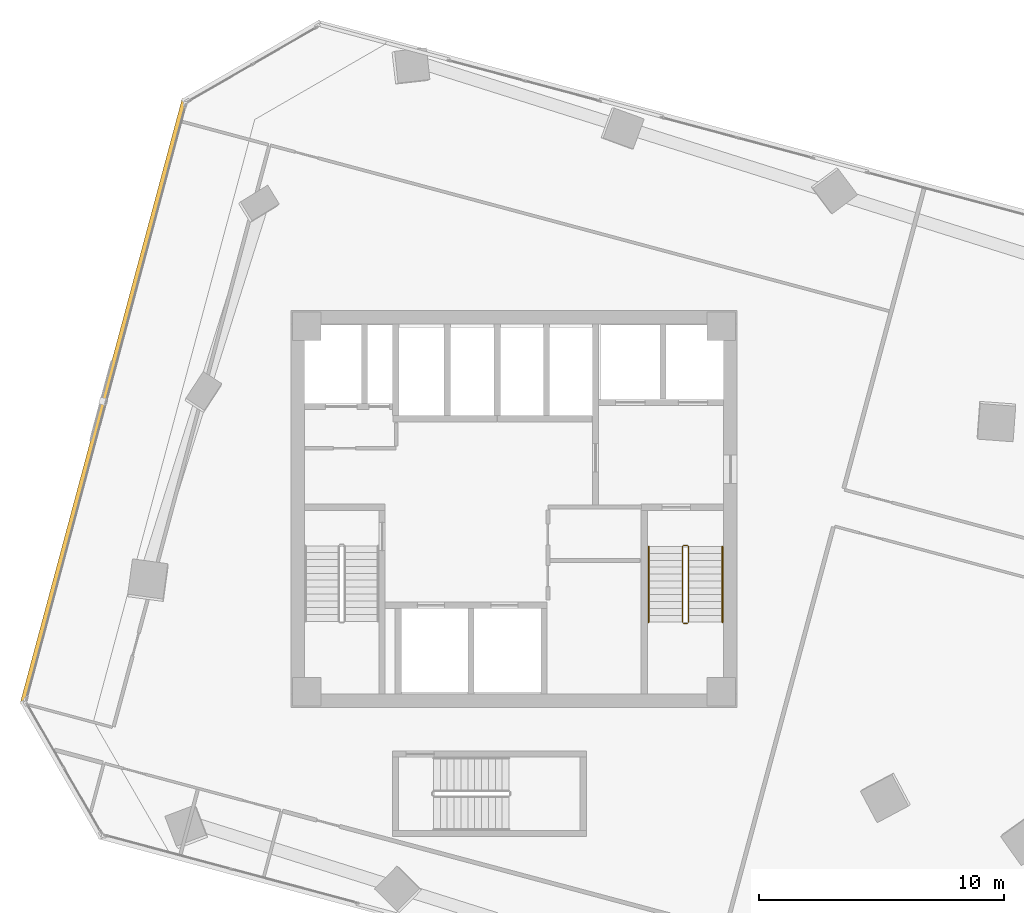
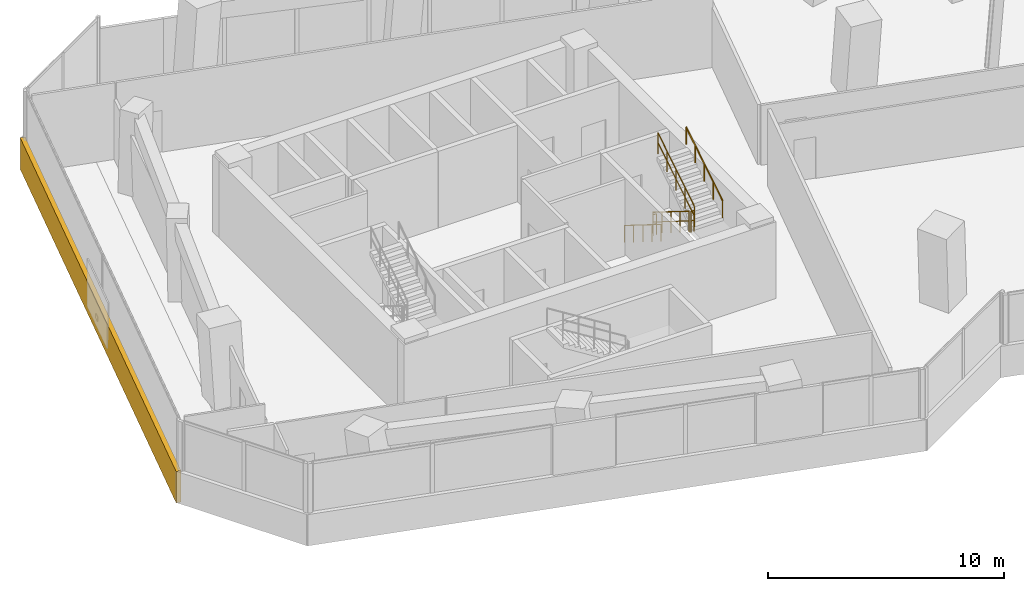
# One storey, part 24 of 27: 6 railings, 1 covering.
"""IFC4 building model written with IfcOpenShell, lengths in metres."""

import ifcopenshell
import ifcopenshell.guid

model = None  # the IFC model being written
_history = None  # IfcOwnerHistory: only IFC2X3 demands one
_inside = {}  # id of a spatial element -> (the spatial element, [elements in it])
_under = {}  # id of a project, library or spatial element -> (it, [spatial elements below it])
_declared = {}  # id of a project -> (the project, [libraries it declares])
_typed = {}  # id of a type object -> (the type object, [elements of that type])
_made_of = {}  # id of a material, layer set ... -> (it, [elements and type objects made of it])


def new_model(schema):
    """Start an empty IFC model of exactly this schema.

    Asked for "IFC4X3", IfcOpenShell would pick the latest addendum, in which some entities
    have other attributes; the version numbers below select the first issue.
    IFC2X3 requires an IfcOwnerHistory on every rooted entity: one is made here for all.
    """
    global model, _history
    if schema == "IFC4X3":
        model = ifcopenshell.file(schema_version=(4, 3, 0, 0))
    else:
        model = ifcopenshell.file(schema=schema)
    _inside.clear()
    _under.clear()
    _declared.clear()
    _typed.clear()
    _made_of.clear()
    _history = None
    if model.schema == "IFC2X3":
        org = make("IfcOrganization", Name="unknown")
        user = make(
            "IfcPersonAndOrganization",
            ThePerson=make("IfcPerson", FamilyName="unknown"),
            TheOrganization=org,
        )
        app = make(
            "IfcApplication",
            ApplicationDeveloper=org,
            Version="unknown",
            ApplicationFullName="unknown",
            ApplicationIdentifier="unknown",
        )
        _history = make(
            "IfcOwnerHistory",
            OwningUser=user,
            OwningApplication=app,
            ChangeAction="ADDED",
            CreationDate=0,
        )
    return model


def make(cls, **values):
    """One entity of the class cls with the attributes given. An attribute that is None is left unset."""
    return model.create_entity(
        cls, **{name: value for name, value in values.items() if value is not None}
    )


def rooted(cls, **values):
    """An entity with a GlobalId (a new one), such as an element, a storey or a relation."""
    return make(cls, GlobalId=ifcopenshell.guid.new(), OwnerHistory=_history, **values)


def si_unit(unit_type, name, prefix=None):
    """IfcSIUnit, for example si_unit("LENGTHUNIT", "METRE", prefix="MILLI")."""
    return make("IfcSIUnit", UnitType=unit_type, Prefix=prefix, Name=name)


def assignment(units):
    """IfcUnitAssignment: the units of a project."""
    return None if units is None else make("IfcUnitAssignment", Units=units)


def point(xyz):
    """IfcCartesianPoint."""
    return None if xyz is None else make("IfcCartesianPoint", Coordinates=xyz)


def direction(xyz):
    """IfcDirection."""
    return None if xyz is None else make("IfcDirection", DirectionRatios=xyz)


def frame(location, z_axis=None, x_axis=None):
    """IfcAxis2Placement3D, a coordinate frame: its origin and axes. An axis left out is left unset."""
    return make(
        "IfcAxis2Placement3D",
        Location=point(location),
        Axis=direction(z_axis),
        RefDirection=direction(x_axis),
    )


def frame_2d(location, x_axis=None):
    """IfcAxis2Placement2D, a coordinate frame in the plane: its origin and x axis."""
    return make(
        "IfcAxis2Placement2D", Location=point(location), RefDirection=direction(x_axis)
    )


def origin():
    """The frame at (0, 0, 0) with its axes left unset."""
    return frame((0.0, 0.0, 0.0))


def origin_2d():
    """The frame at (0, 0) in the plane with its x axis left unset."""
    return frame_2d((0.0, 0.0))


def place(relative_to, where):
    """IfcLocalPlacement: puts the frame where relative to a parent placement (None: the world)."""
    return make(
        "IfcLocalPlacement", PlacementRelTo=relative_to, RelativePlacement=where
    )


def context(
    kind, dimensions, precision=None, world=None, true_north=None, identifier=None
):
    """IfcGeometricRepresentationContext, for example the 3D "Model" context."""
    return make(
        "IfcGeometricRepresentationContext",
        ContextIdentifier=identifier,
        ContextType=kind,
        CoordinateSpaceDimension=dimensions,
        Precision=precision,
        WorldCoordinateSystem=world,
        TrueNorth=true_north,
    )


def subcontext(parent, identifier, kind, view, scale=None):
    """IfcGeometricRepresentationSubContext, for example "Body" below "Model"."""
    return make(
        "IfcGeometricRepresentationSubContext",
        ContextIdentifier=identifier,
        ContextType=kind,
        ParentContext=parent,
        TargetScale=scale,
        TargetView=view,
    )


def project(units=None, contexts=None):
    """IfcProject with its units and contexts."""
    return rooted(
        "IfcProject",
        Name="project",
        RepresentationContexts=contexts,
        UnitsInContext=assignment(units),
    )


def spatial(cls, under=None, at=None, **own):
    """A site, building, storey or space (cls), placed at a placement, below another one or the project."""
    s = rooted(cls, ObjectPlacement=at, **own)
    if under is not None:
        _under.setdefault(under.id(), (under, []))[1].append(s)
    return s


def profile(cls, at=None, kind="AREA", **sizes):
    """A parametric profile (cls). Its sizes go by their IFC names, for example OverallWidth=200.0."""
    return make(cls, ProfileType=kind, Position=at, **sizes)


def rectangle(**sizes):
    """IfcRectangleProfileDef."""
    return profile("IfcRectangleProfileDef", **sizes)


def circle(**sizes):
    """IfcCircleProfileDef."""
    return profile("IfcCircleProfileDef", **sizes)


def extrude(swept, where, along, depth):
    """IfcExtrudedAreaSolid: the profile swept, set in the frame where, extruded along a direction by depth."""
    return make(
        "IfcExtrudedAreaSolid",
        SweptArea=swept,
        Position=where,
        ExtrudedDirection=direction(along),
        Depth=depth,
    )


def shape(context_of_items, identifier, shape_type, items):
    """IfcShapeRepresentation: the items that make up one representation, for example the "Body"."""
    return make(
        "IfcShapeRepresentation",
        ContextOfItems=context_of_items,
        RepresentationIdentifier=identifier,
        RepresentationType=shape_type,
        Items=items,
    )


def source(mapping_origin, context_of_items, identifier, shape_type, items):
    """IfcRepresentationMap: a shape defined once, which mapped items show again and again."""
    return make(
        "IfcRepresentationMap",
        MappingOrigin=mapping_origin,
        MappedRepresentation=shape(context_of_items, identifier, shape_type, items),
    )


def transform(
    local_origin,
    x_axis=None,
    y_axis=None,
    z_axis=None,
    scale=None,
    scale2=None,
    scale3=None,
    uniform=True,
):
    """IfcCartesianTransformationOperator3D, or its non-uniform kind. x_axis, y_axis, z_axis: its Axis1, 2, 3."""
    if uniform:
        return make(
            "IfcCartesianTransformationOperator3D",
            Axis1=direction(x_axis),
            Axis2=direction(y_axis),
            LocalOrigin=point(local_origin),
            Scale=scale,
            Axis3=direction(z_axis),
        )
    return make(
        "IfcCartesianTransformationOperator3DnonUniform",
        Axis1=direction(x_axis),
        Axis2=direction(y_axis),
        LocalOrigin=point(local_origin),
        Scale=scale,
        Axis3=direction(z_axis),
        Scale2=scale2,
        Scale3=scale3,
    )


def mapped(mapping_source, mapping_target):
    """IfcMappedItem: shows the shape of a source again, moved by a transform."""
    return make(
        "IfcMappedItem", MappingSource=mapping_source, MappingTarget=mapping_target
    )


def material(Name=None, Category=None):
    """IfcMaterial."""
    return make("IfcMaterial", Name=Name, Category=Category)


def layer(
    of_material, thickness, ventilated=None, Name=None, Category=None, Priority=None
):
    """IfcMaterialLayer: one layer of a wall or slab, of a material (None: an air gap)."""
    return make(
        "IfcMaterialLayer",
        Material=of_material,
        LayerThickness=thickness,
        IsVentilated=ventilated,
        Name=Name,
        Category=Category,
        Priority=Priority,
    )


def layer_set(layers, Name=None):
    """IfcMaterialLayerSet."""
    return make("IfcMaterialLayerSet", MaterialLayers=layers, LayerSetName=Name)


def made_of(thing, what):
    """Note that an element or type object is made of a material, layer set ...; save() writes the relation."""
    if what is not None:
        _made_of.setdefault(what.id(), (what, []))[1].append(thing)
    return thing


def type_object(cls, material=None, **own):
    """A type object (cls), such as IfcWallType, which elements share."""
    return made_of(rooted(cls, **own), material)


def element(
    cls,
    number,
    at=None,
    inside=None,
    cuts=None,
    type_object=None,
    material=None,
    context=None,
    identifier="Body",
    shape_type=None,
    held_by="IfcProductDefinitionShape",
    body=None,
    shapes=None,
    **own,
):
    """One element of the class cls, such as IfcWall. Its Tag is "e" and its number.

    at: its placement. inside: the storey or other place that contains it. cuts: it is an
    opening in that element (IfcRelVoidsElement). A single representation is given by context,
    identifier, shape_type and body (its items); several are given by shapes. held_by: the class
    of the entity that holds the representations. save() writes the other relations.
    """
    e = rooted(cls, Tag="e%d" % number, ObjectPlacement=at, **own)
    if body is not None:
        shapes = [shape(context, identifier, shape_type, body)]
    if shapes is not None:
        e.Representation = make(held_by, Representations=shapes)
    if inside is not None:
        _inside.setdefault(inside.id(), (inside, []))[1].append(e)
    if cuts is not None:
        rooted(
            "IfcRelVoidsElement", RelatingBuildingElement=cuts, RelatedOpeningElement=e
        )
    if type_object is not None:
        _typed.setdefault(type_object.id(), (type_object, []))[1].append(e)
    return made_of(e, material)


def aggregate(whole, parts):
    """IfcRelAggregates: a whole, such as a stair, and the parts it consists of."""
    return rooted("IfcRelAggregates", RelatingObject=whole, RelatedObjects=parts)


def save(model, path):
    """Write the relations noted so far, then the file.

    IfcRelAggregates (storeys below a building ...), IfcRelContainedInSpatialStructure (elements
    in a storey), IfcRelDefinesByType, IfcRelAssociatesMaterial and IfcRelDeclares: one each for
    every whole, place, type object, material and project.
    """
    for whole, parts in _under.values():
        aggregate(whole, parts)
    for where, things in _inside.values():
        rooted(
            "IfcRelContainedInSpatialStructure",
            RelatedElements=things,
            RelatingStructure=where,
        )
    for kind, things in _typed.values():
        rooted("IfcRelDefinesByType", RelatedObjects=things, RelatingType=kind)
    for what, things in _made_of.values():
        rooted("IfcRelAssociatesMaterial", RelatedObjects=things, RelatingMaterial=what)
    for by, libraries in _declared.values():
        rooted("IfcRelDeclares", RelatingContext=by, RelatedDefinitions=libraries)
    model.write(path)


model = new_model("IFC4")

# Units and contexts
model_context = context("Model", 3, precision=1e-05, world=origin(), true_north=direction((0.0, 1.0)))
body_context = subcontext(model_context, "Body", "Model", "MODEL_VIEW")
ifc_project = project(units=[si_unit("LENGTHUNIT", "METRE"), si_unit("AREAUNIT", "SQUARE_METRE"), si_unit("VOLUMEUNIT", "CUBIC_METRE"), si_unit("PLANEANGLEUNIT", "RADIAN"), si_unit("MASSUNIT", "GRAM", prefix="KILO")], contexts=[model_context])

# Site, building, storey
site_placement = place(None, origin())
site = spatial("IfcSite", under=ifc_project, at=site_placement, CompositionType="ELEMENT")
building_placement = place(site_placement, origin())
building = spatial("IfcBuilding", under=site, at=building_placement, Name="Torre Montelarca", CompositionType="ELEMENT")
storey_placement = place(building_placement, frame((0.0, 0.0, 108.39990234375)))
storey = spatial("IfcBuildingStorey", under=building, at=storey_placement, Name="L24", CompositionType="ELEMENT", Elevation=108.39990234375)

# Railings
ifc_material_1 = material(Name="Powder-coated steel ASTM A500 Grade C", Category="steel")
railing_type_1 = type_object("IfcRailingType", Name="RL-GUARD-1100", PredefinedType="BALUSTRADE", material=ifc_material_1)
railing_1_placement = place(storey_placement, frame((24.8701171875, 30.469970703125, 0.175048828125)))
element("IfcRailing", 1, at=railing_1_placement, inside=storey, type_object=railing_type_1, Name="L24 ST2 stair guard 1", PredefinedType="BALUSTRADE", context=body_context, shape_type="SweptSolid", body=[
    extrude(circle(Radius=0.02392578125, at=origin_2d()), frame((0.0, 0.0, 1.076171875), z_axis=(0.0, -0.847998304005, 0.529998940003), x_axis=(1.0, 0.0, 0.0)), (0.0, 0.0, 1.0), 3.632080078125),
    extrude(circle(Radius=0.02099609375, at=origin_2d()), frame((0.0, 0.0, 0.572021484375), z_axis=(0.0, -0.847998304005, 0.529998940003), x_axis=(1.0, 0.0, 0.0)), (0.0, 0.0, 1.0), 3.632080078125),
    extrude(circle(Radius=0.02099609375, at=origin_2d()), origin(), (0.0, 0.0, 1.0), 1.052001953125),
    extrude(circle(Radius=0.02099609375, at=origin_2d()), frame((0.0, -0.77001953125, 0.481201171875)), (0.0, 0.0, 1.0), 1.052001953125),
    extrude(circle(Radius=0.02099609375, at=origin_2d()), frame((0.0, -1.5400390625, 0.96240234375)), (0.0, 0.0, 1.0), 1.052001953125),
    extrude(circle(Radius=0.02099609375, at=origin_2d()), frame((0.0, -2.31005859375, 1.44384765625)), (0.0, 0.0, 1.0), 1.052001953125),
    extrude(circle(Radius=0.02099609375, at=origin_2d()), frame((0.0, -3.080078125, 1.925048828125)), (0.0, 0.0, 1.0), 1.052001953125),
])
railing_2_placement = place(storey_placement, frame((24.919921875, 27.340087890625, 2.10009765625)))
element("IfcRailing", 2, at=railing_2_placement, inside=storey, type_object=railing_type_1, Name="L24 ST2 stair guard 2", PredefinedType="BALUSTRADE", context=body_context, shape_type="SweptSolid", body=[
    extrude(circle(Radius=0.02392578125, at=origin_2d()), frame((0.0, 0.0, 1.076171875), z_axis=(1.0, 0.0, 0.0), x_axis=(0.0, 1.0, 0.0)), (0.0, 0.0, 1.0), 0.150146484375),
    extrude(circle(Radius=0.02099609375, at=origin_2d()), frame((0.0, 0.0, 0.572021484375), z_axis=(1.0, 0.0, 0.0), x_axis=(0.0, 1.0, 0.0)), (0.0, 0.0, 1.0), 0.150146484375),
    extrude(circle(Radius=0.02099609375, at=origin_2d()), origin(), (0.0, 0.0, 1.0), 1.052001953125),
    extrude(circle(Radius=0.02099609375, at=origin_2d()), frame((0.150146484375, 0.0, 0.0)), (0.0, 0.0, 1.0), 1.052001953125),
])
railing_3_placement = place(storey_placement, frame((25.1201171875, 27.389892578125, 2.275146484375)))
element("IfcRailing", 3, at=railing_3_placement, inside=storey, type_object=railing_type_1, Name="L24 ST2 stair guard 3", PredefinedType="BALUSTRADE", context=body_context, shape_type="SweptSolid", body=[
    extrude(circle(Radius=0.02392578125, at=origin_2d()), frame((0.0, 0.0, 1.076171875), z_axis=(0.0, 0.847998304005, 0.529998940003), x_axis=(-1.0, 0.0, 0.0)), (0.0, 0.0, 1.0), 3.632080078125),
    extrude(circle(Radius=0.02099609375, at=origin_2d()), frame((0.0, 0.0, 0.572021484375), z_axis=(0.0, 0.847998304005, 0.529998940003), x_axis=(-1.0, 0.0, 0.0)), (0.0, 0.0, 1.0), 3.632080078125),
    extrude(circle(Radius=0.02099609375, at=origin_2d()), origin(), (0.0, 0.0, 1.0), 1.052001953125),
    extrude(circle(Radius=0.02099609375, at=origin_2d()), frame((0.0, 0.77001953125, 0.481201171875)), (0.0, 0.0, 1.0), 1.052001953125),
    extrude(circle(Radius=0.02099609375, at=origin_2d()), frame((0.0, 1.5400390625, 0.96240234375)), (0.0, 0.0, 1.0), 1.052001953125),
    extrude(circle(Radius=0.02099609375, at=origin_2d()), frame((0.0, 2.31005859375, 1.44384765625)), (0.0, 0.0, 1.0), 1.052001953125),
    extrude(circle(Radius=0.02099609375, at=origin_2d()), frame((0.0, 3.080078125, 1.925048828125)), (0.0, 0.0, 1.0), 1.052001953125),
])
railing_4_placement = place(storey_placement, frame((24.919921875, 30.52001953125, 0.0)))
element("IfcRailing", 4, at=railing_4_placement, inside=storey, type_object=railing_type_1, Name="L24 ST2 stair guard 4", PredefinedType="BALUSTRADE", context=body_context, shape_type="SweptSolid", body=[
    extrude(circle(Radius=0.02392578125, at=origin_2d()), frame((0.0, 0.0, 1.076171875), z_axis=(1.0, 0.0, 0.0), x_axis=(0.0, 1.0, 0.0)), (0.0, 0.0, 1.0), 0.150146484375),
    extrude(circle(Radius=0.02099609375, at=origin_2d()), frame((0.0, 0.0, 0.572021484375), z_axis=(1.0, 0.0, 0.0), x_axis=(0.0, 1.0, 0.0)), (0.0, 0.0, 1.0), 0.150146484375),
    extrude(circle(Radius=0.02099609375, at=origin_2d()), origin(), (0.0, 0.0, 1.0), 1.052001953125),
    extrude(circle(Radius=0.02099609375, at=origin_2d()), frame((0.150146484375, 0.0, 0.0)), (0.0, 0.0, 1.0), 1.052001953125),
])
ifc_material_2 = material(Name="Brushed stainless steel AISI 316", Category="steel")
railing_type_2 = type_object("IfcRailingType", Name="RL-HANDRAIL-900", PredefinedType="HANDRAIL", material=ifc_material_2)
railing_5_placement = place(storey_placement, frame((23.489990234375, 30.469970703125, 0.175048828125)))
element("IfcRailing", 5, at=railing_5_placement, inside=storey, type_object=railing_type_2, Name="L24 ST2 stair handrail 1", PredefinedType="HANDRAIL", context=body_context, shape_type="SweptSolid", body=[
    extrude(circle(Radius=0.02392578125, at=origin_2d()), frame((0.0, 0.0, 0.8759765625), z_axis=(0.0, -0.847998304005, 0.529998940003), x_axis=(1.0, 0.0, 0.0)), (0.0, 0.0, 1.0), 3.632080078125),
    extrude(circle(Radius=0.02099609375, at=origin_2d()), origin(), (0.0, 0.0, 1.0), 0.851806640625),
    extrude(circle(Radius=0.02099609375, at=origin_2d()), frame((0.0, -0.77001953125, 0.481201171875)), (0.0, 0.0, 1.0), 0.851806640625),
    extrude(circle(Radius=0.02099609375, at=origin_2d()), frame((0.0, -1.5400390625, 0.96240234375)), (0.0, 0.0, 1.0), 0.851806640625),
    extrude(circle(Radius=0.02099609375, at=origin_2d()), frame((0.0, -2.31005859375, 1.44384765625)), (0.0, 0.0, 1.0), 0.851806640625),
    extrude(circle(Radius=0.02099609375, at=origin_2d()), frame((0.0, -3.080078125, 1.925048828125)), (0.0, 0.0, 1.0), 0.851806640625),
])
railing_6_placement = place(storey_placement, frame((26.5, 27.389892578125, 2.275146484375)))
element("IfcRailing", 6, at=railing_6_placement, inside=storey, type_object=railing_type_2, Name="L24 ST2 stair handrail 2", PredefinedType="HANDRAIL", context=body_context, shape_type="SweptSolid", body=[
    extrude(circle(Radius=0.02392578125, at=origin_2d()), frame((0.0, 0.0, 0.8759765625), z_axis=(0.0, 0.847998304005, 0.529998940003), x_axis=(-1.0, 0.0, 0.0)), (0.0, 0.0, 1.0), 3.632080078125),
    extrude(circle(Radius=0.02099609375, at=origin_2d()), origin(), (0.0, 0.0, 1.0), 0.851806640625),
    extrude(circle(Radius=0.02099609375, at=origin_2d()), frame((0.0, 0.77001953125, 0.481201171875)), (0.0, 0.0, 1.0), 0.851806640625),
    extrude(circle(Radius=0.02099609375, at=origin_2d()), frame((0.0, 1.5400390625, 0.96240234375)), (0.0, 0.0, 1.0), 0.851806640625),
    extrude(circle(Radius=0.02099609375, at=origin_2d()), frame((0.0, 2.31005859375, 1.44384765625)), (0.0, 0.0, 1.0), 0.851806640625),
    extrude(circle(Radius=0.02099609375, at=origin_2d()), frame((0.0, 3.080078125, 1.925048828125)), (0.0, 0.0, 1.0), 0.851806640625),
])

# Covering
ifc_material_3 = material(Name="Bush-hammered warm white precast concrete C45/55", Category="concrete")
ifc_layer = layer(ifc_material_3, 0.139892578125, Name="Bush-hammered warm white precast concrete C45/55", Category="concrete")
ifc_layer_set = layer_set([ifc_layer], Name="Bush-hammered warm white precast concrete C45/55")
covering_type = type_object("IfcCoveringType", Name="COV-TRAY-CLAD", PredefinedType="CLADDING", material=ifc_layer_set)
shared_shape = source(origin(), body_context, "Body", "SweptSolid", [
    extrude(rectangle(XDim=25.52001953125, YDim=0.219970703125, at=origin_2d()), origin(), (0.0, 0.0, 1.0), 1.6201171875),
])
covering_placement = place(storey_placement, frame((1.275390625, 36.3837890625, -0.449951171875), z_axis=(0.0, 0.0, 1.0), x_axis=(-0.258819045103, -0.965925826289, 0.0)))
element("IfcCovering", 7, at=covering_placement, inside=storey, type_object=covering_type, Name="L24 Architectural White Spandrel Tray Band TRYBOT-10", PredefinedType="CLADDING", context=body_context, shape_type="MappedRepresentation", body=[
    mapped(shared_shape, transform((0.0, 0.0, 0.0), scale=1.0)),
])

save(model, "model.ifc")
